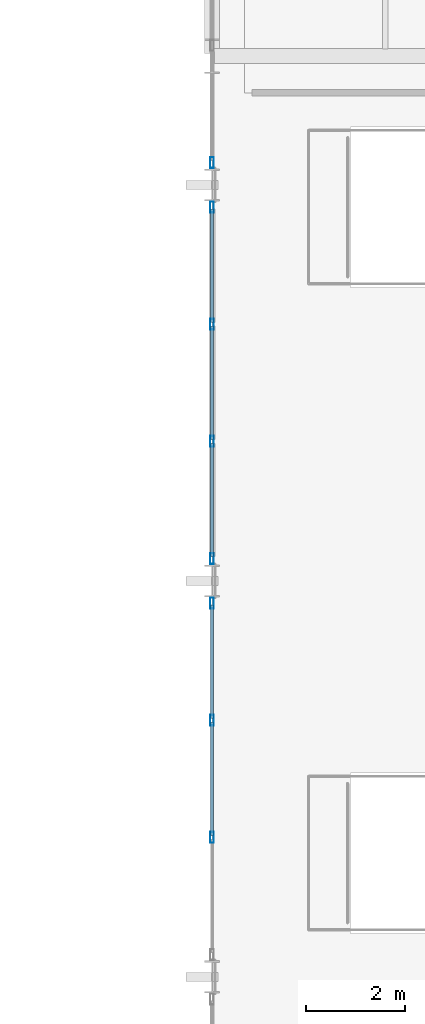
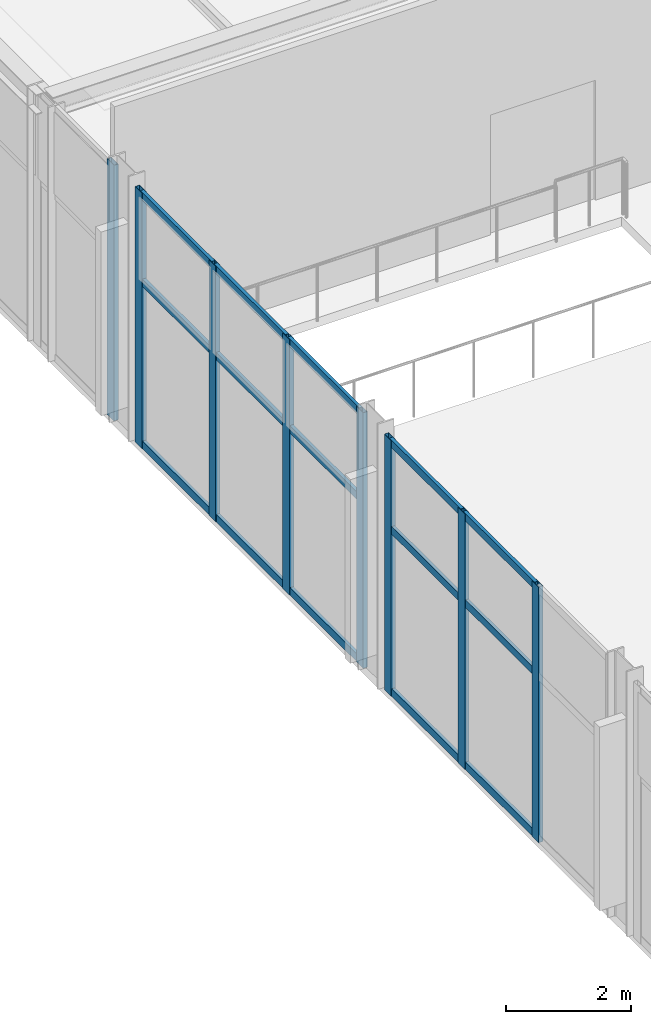
# One storey, part 49 of 195: 23 members, 3 elements without a shape of their own.
"""IFC4 building model written with IfcOpenShell, lengths in metres."""

from ifc_helpers import new_model, si_unit, direction, frame, origin, origin_2d, place, context, subcontext, project, spatial, hollow_rectangle, extrude, material, layer, layer_set, material_profile, profile_set, type_object, element, aggregate, save


model = new_model("IFC4")

# Units and contexts
model_context = context("Model", 3, precision=1e-05, world=origin(), true_north=direction((0.0, 1.0)))
body_context = subcontext(model_context, "Body", "Model", "MODEL_VIEW")
ifc_project = project(units=[si_unit("LENGTHUNIT", "METRE"), si_unit("AREAUNIT", "SQUARE_METRE"), si_unit("VOLUMEUNIT", "CUBIC_METRE"), si_unit("PLANEANGLEUNIT", "RADIAN"), si_unit("MASSUNIT", "GRAM", prefix="KILO")], contexts=[model_context])

# Site, building, storey
site_placement = place(None, origin())
site = spatial("IfcSite", under=ifc_project, at=site_placement, CompositionType="ELEMENT")
building_placement = place(site_placement, origin())
building = spatial("IfcBuilding", under=site, at=building_placement, Name="Marlcrest Central Station", CompositionType="ELEMENT")
storey_placement = place(building_placement, frame((0.0, 0.0, 9.800048828125)))
storey = spatial("IfcBuildingStorey", under=building, at=storey_placement, Name="L02", CompositionType="ELEMENT", Elevation=9.800048828125)

# Curtain wall, members
ifc_material_1 = material(Name="Anodised aluminium and hurricane laminated glass", Category="aluminium")
ifc_layer = layer(ifc_material_1, 0.219970703125, Name="CW-U1")
ifc_layer_set = layer_set([ifc_layer], Name="Anodised aluminium and hurricane laminated glass")
curtain_wall_type = type_object("IfcCurtainWallType", Name="CW-U1", PredefinedType="USERDEFINED", material=ifc_layer_set)
curtain_wall_1_placement = place(storey_placement, origin())
curtain_wall_1 = element("IfcCurtainWall", 1, at=curtain_wall_1_placement, inside=storey, type_object=curtain_wall_type, Name="cw-L02-0127", ObjectType="UNITISED_CURTAIN_WALL", PredefinedType="USERDEFINED")
ifc_material_2 = material(Name="Anodised aluminium 6063-T6", Category="aluminium")
ifc_material_profile_1 = material_profile(ifc_material_2, hollow_rectangle(XDim=0.080078125, YDim=0.219970703125, WallThickness=0.006103515625, at=origin_2d()), Name="AA-RHS 220x80x6")
ifc_profile_set_1 = profile_set([ifc_material_profile_1], Name="Anodised aluminium 6063-T6")
member_type_1 = type_object("IfcMemberType", Name="ML-01", PredefinedType="MULLION", material=ifc_profile_set_1)
member_1_placement = place(storey_placement, frame((87.0, 81.316650390625, -0.030029296875), z_axis=(0.0, 0.0, 1.0), x_axis=(1.0, 0.0, 0.0)))
member_1 = element("IfcMember", 2, at=member_1_placement, type_object=member_type_1, Name="cw-L02-0127-ml-1", PredefinedType="MULLION", context=body_context, shape_type="SweptSolid", body=[
    extrude(hollow_rectangle(XDim=0.080078125, YDim=0.219970703125, WallThickness=0.006103515625, at=origin_2d()), origin(), (0.0, 0.0, 1.0), 5.010009765625),
])
member_2_placement = place(storey_placement, frame((87.0, 83.683349609375, -0.030029296875), z_axis=(0.0, 0.0, 1.0), x_axis=(1.0, 0.0, 0.0)))
member_2 = element("IfcMember", 3, at=member_2_placement, type_object=member_type_1, Name="cw-L02-0127-ml-2", PredefinedType="MULLION", context=body_context, shape_type="SweptSolid", body=[
    extrude(hollow_rectangle(XDim=0.080078125, YDim=0.219970703125, WallThickness=0.006103515625, at=origin_2d()), origin(), (0.0, 0.0, 1.0), 5.010009765625),
])
member_3_placement = place(storey_placement, frame((87.0, 86.050048828125, -0.030029296875), z_axis=(0.0, 0.0, 1.0), x_axis=(1.0, 0.0, 0.0)))
member_3 = element("IfcMember", 4, at=member_3_placement, type_object=member_type_1, Name="cw-L02-0127-ml-3", PredefinedType="MULLION", context=body_context, shape_type="SweptSolid", body=[
    extrude(hollow_rectangle(XDim=0.080078125, YDim=0.219970703125, WallThickness=0.006103515625, at=origin_2d()), origin(), (0.0, 0.0, 1.0), 5.010009765625),
])

curtain_wall_2_placement = place(storey_placement, origin())
curtain_wall_2 = element("IfcCurtainWall", 5, at=curtain_wall_2_placement, inside=storey, type_object=curtain_wall_type, Name="cw-L02-0131", ObjectType="UNITISED_CURTAIN_WALL", PredefinedType="USERDEFINED")
member_4_placement = place(storey_placement, frame((87.0, 86.949951171875, -0.030029296875), z_axis=(0.0, 0.0, 1.0), x_axis=(1.0, 0.0, 0.0)))
member_4 = element("IfcMember", 6, at=member_4_placement, type_object=member_type_1, Name="cw-L02-0131-ml-0", PredefinedType="MULLION", context=body_context, shape_type="SweptSolid", body=[
    extrude(hollow_rectangle(XDim=0.080078125, YDim=0.219970703125, WallThickness=0.006103515625, at=origin_2d()), origin(), (0.0, 0.0, 1.0), 5.010009765625),
])
member_5_placement = place(storey_placement, frame((87.0, 89.316650390625, -0.030029296875), z_axis=(0.0, 0.0, 1.0), x_axis=(1.0, 0.0, 0.0)))
member_5 = element("IfcMember", 7, at=member_5_placement, type_object=member_type_1, Name="cw-L02-0131-ml-1", PredefinedType="MULLION", context=body_context, shape_type="SweptSolid", body=[
    extrude(hollow_rectangle(XDim=0.080078125, YDim=0.219970703125, WallThickness=0.006103515625, at=origin_2d()), origin(), (0.0, 0.0, 1.0), 5.010009765625),
])
member_6_placement = place(storey_placement, frame((87.0, 91.683349609375, -0.030029296875), z_axis=(0.0, 0.0, 1.0), x_axis=(1.0, 0.0, 0.0)))
member_6 = element("IfcMember", 8, at=member_6_placement, type_object=member_type_1, Name="cw-L02-0131-ml-2", PredefinedType="MULLION", context=body_context, shape_type="SweptSolid", body=[
    extrude(hollow_rectangle(XDim=0.080078125, YDim=0.219970703125, WallThickness=0.006103515625, at=origin_2d()), origin(), (0.0, 0.0, 1.0), 5.010009765625),
])
member_7_placement = place(storey_placement, frame((87.0, 94.050048828125, -0.030029296875), z_axis=(0.0, 0.0, 1.0), x_axis=(1.0, 0.0, 0.0)))
member_7 = element("IfcMember", 9, at=member_7_placement, type_object=member_type_1, Name="cw-L02-0131-ml-3", PredefinedType="MULLION", context=body_context, shape_type="SweptSolid", body=[
    extrude(hollow_rectangle(XDim=0.080078125, YDim=0.219970703125, WallThickness=0.006103515625, at=origin_2d()), origin(), (0.0, 0.0, 1.0), 5.010009765625),
])

# Curtain wall, member
curtain_wall_3_placement = place(storey_placement, origin())
curtain_wall_3 = element("IfcCurtainWall", 10, at=curtain_wall_3_placement, inside=storey, type_object=curtain_wall_type, Name="cw-L02-0135", ObjectType="UNITISED_CURTAIN_WALL", PredefinedType="USERDEFINED")
member_8_placement = place(storey_placement, frame((87.0, 94.949951171875, -0.030029296875), z_axis=(0.0, 0.0, 1.0), x_axis=(1.0, 0.0, 0.0)))
member_8 = element("IfcMember", 11, at=member_8_placement, type_object=member_type_1, Name="cw-L02-0135-ml-0", PredefinedType="MULLION", context=body_context, shape_type="SweptSolid", body=[
    extrude(hollow_rectangle(XDim=0.080078125, YDim=0.219970703125, WallThickness=0.006103515625, at=origin_2d()), origin(), (0.0, 0.0, 1.0), 5.010009765625),
])
aggregate(curtain_wall_3, [member_8])

# Member
ifc_material_profile_2 = material_profile(ifc_material_2, hollow_rectangle(XDim=0.06005859375, YDim=0.14990234375, WallThickness=0.00390625, at=origin_2d()), Name="AA-RHS 150x60x4")
ifc_profile_set_2 = profile_set([ifc_material_profile_2], Name="Anodised aluminium 6063-T6")
member_type_2 = type_object("IfcMemberType", Name="TR-01", PredefinedType="USERDEFINED", material=ifc_profile_set_2)
member_9_placement = place(storey_placement, frame((87.0, 81.354736328125, 0.0400390625), z_axis=(0.0, 1.0, 0.0), x_axis=(-1.0, 0.0, 0.0)))
member_9 = element("IfcMember", 12, at=member_9_placement, type_object=member_type_2, Name="cw-L02-0127-tr-1-sill", ObjectType="TRANSOM", PredefinedType="USERDEFINED", context=body_context, shape_type="SweptSolid", body=[
    extrude(hollow_rectangle(XDim=0.06005859375, YDim=0.14990234375, WallThickness=0.00390625, at=origin_2d()), origin(), (0.0, 0.0, 1.0), 2.29052734375),
])

member_10_placement = place(storey_placement, frame((87.0, 81.354736328125, 3.218017578125), z_axis=(0.0, 1.0, 0.0), x_axis=(-1.0, 0.0, 0.0)))
member_10 = element("IfcMember", 13, at=member_10_placement, type_object=member_type_2, Name="cw-L02-0127-tr-1-mid", ObjectType="TRANSOM", PredefinedType="USERDEFINED", context=body_context, shape_type="SweptSolid", body=[
    extrude(hollow_rectangle(XDim=0.06005859375, YDim=0.14990234375, WallThickness=0.00390625, at=origin_2d()), origin(), (0.0, 0.0, 1.0), 2.29052734375),
])

member_11_placement = place(storey_placement, frame((87.0, 81.354736328125, 4.909912109375), z_axis=(0.0, 1.0, 0.0), x_axis=(-1.0, 0.0, 0.0)))
member_11 = element("IfcMember", 14, at=member_11_placement, type_object=member_type_2, Name="cw-L02-0127-tr-1-head", ObjectType="TRANSOM", PredefinedType="USERDEFINED", context=body_context, shape_type="SweptSolid", body=[
    extrude(hollow_rectangle(XDim=0.06005859375, YDim=0.14990234375, WallThickness=0.00390625, at=origin_2d()), origin(), (0.0, 0.0, 1.0), 2.29052734375),
])

member_12_placement = place(storey_placement, frame((87.0, 83.72119140625, 0.0400390625), z_axis=(0.0, 1.0, 0.0), x_axis=(-1.0, 0.0, 0.0)))
member_12 = element("IfcMember", 15, at=member_12_placement, type_object=member_type_2, Name="cw-L02-0127-tr-2-sill", ObjectType="TRANSOM", PredefinedType="USERDEFINED", context=body_context, shape_type="SweptSolid", body=[
    extrude(hollow_rectangle(XDim=0.06005859375, YDim=0.14990234375, WallThickness=0.00390625, at=origin_2d()), origin(), (0.0, 0.0, 1.0), 2.290771484375),
])

member_13_placement = place(storey_placement, frame((87.0, 83.72119140625, 3.218017578125), z_axis=(0.0, 1.0, 0.0), x_axis=(-1.0, 0.0, 0.0)))
member_13 = element("IfcMember", 16, at=member_13_placement, type_object=member_type_2, Name="cw-L02-0127-tr-2-mid", ObjectType="TRANSOM", PredefinedType="USERDEFINED", context=body_context, shape_type="SweptSolid", body=[
    extrude(hollow_rectangle(XDim=0.06005859375, YDim=0.14990234375, WallThickness=0.00390625, at=origin_2d()), origin(), (0.0, 0.0, 1.0), 2.290771484375),
])

member_14_placement = place(storey_placement, frame((87.0, 83.72119140625, 4.909912109375), z_axis=(0.0, 1.0, 0.0), x_axis=(-1.0, 0.0, 0.0)))
member_14 = element("IfcMember", 17, at=member_14_placement, type_object=member_type_2, Name="cw-L02-0127-tr-2-head", ObjectType="TRANSOM", PredefinedType="USERDEFINED", context=body_context, shape_type="SweptSolid", body=[
    extrude(hollow_rectangle(XDim=0.06005859375, YDim=0.14990234375, WallThickness=0.00390625, at=origin_2d()), origin(), (0.0, 0.0, 1.0), 2.290771484375),
])

aggregate(curtain_wall_1, [member_1, member_2, member_3, member_9, member_10, member_11, member_12, member_13, member_14])

member_15_placement = place(storey_placement, frame((87.0, 86.988037109375, 0.0400390625), z_axis=(0.0, 1.0, 0.0), x_axis=(-1.0, 0.0, 0.0)))
member_15 = element("IfcMember", 18, at=member_15_placement, type_object=member_type_2, Name="cw-L02-0131-tr-0-sill", ObjectType="TRANSOM", PredefinedType="USERDEFINED", context=body_context, shape_type="SweptSolid", body=[
    extrude(hollow_rectangle(XDim=0.06005859375, YDim=0.14990234375, WallThickness=0.00390625, at=origin_2d()), origin(), (0.0, 0.0, 1.0), 2.290771484375),
])

member_16_placement = place(storey_placement, frame((87.0, 86.988037109375, 3.218017578125), z_axis=(0.0, 1.0, 0.0), x_axis=(-1.0, 0.0, 0.0)))
member_16 = element("IfcMember", 19, at=member_16_placement, type_object=member_type_2, Name="cw-L02-0131-tr-0-mid", ObjectType="TRANSOM", PredefinedType="USERDEFINED", context=body_context, shape_type="SweptSolid", body=[
    extrude(hollow_rectangle(XDim=0.06005859375, YDim=0.14990234375, WallThickness=0.00390625, at=origin_2d()), origin(), (0.0, 0.0, 1.0), 2.290771484375),
])

member_17_placement = place(storey_placement, frame((87.0, 86.988037109375, 4.909912109375), z_axis=(0.0, 1.0, 0.0), x_axis=(-1.0, 0.0, 0.0)))
member_17 = element("IfcMember", 20, at=member_17_placement, type_object=member_type_2, Name="cw-L02-0131-tr-0-head", ObjectType="TRANSOM", PredefinedType="USERDEFINED", context=body_context, shape_type="SweptSolid", body=[
    extrude(hollow_rectangle(XDim=0.06005859375, YDim=0.14990234375, WallThickness=0.00390625, at=origin_2d()), origin(), (0.0, 0.0, 1.0), 2.290771484375),
])

member_18_placement = place(storey_placement, frame((87.0, 89.354736328125, 0.0400390625), z_axis=(0.0, 1.0, 0.0), x_axis=(-1.0, 0.0, 0.0)))
member_18 = element("IfcMember", 21, at=member_18_placement, type_object=member_type_2, Name="cw-L02-0131-tr-1-sill", ObjectType="TRANSOM", PredefinedType="USERDEFINED", context=body_context, shape_type="SweptSolid", body=[
    extrude(hollow_rectangle(XDim=0.06005859375, YDim=0.14990234375, WallThickness=0.00390625, at=origin_2d()), origin(), (0.0, 0.0, 1.0), 2.29052734375),
])

member_19_placement = place(storey_placement, frame((87.0, 89.354736328125, 3.218017578125), z_axis=(0.0, 1.0, 0.0), x_axis=(-1.0, 0.0, 0.0)))
member_19 = element("IfcMember", 22, at=member_19_placement, type_object=member_type_2, Name="cw-L02-0131-tr-1-mid", ObjectType="TRANSOM", PredefinedType="USERDEFINED", context=body_context, shape_type="SweptSolid", body=[
    extrude(hollow_rectangle(XDim=0.06005859375, YDim=0.14990234375, WallThickness=0.00390625, at=origin_2d()), origin(), (0.0, 0.0, 1.0), 2.29052734375),
])

member_20_placement = place(storey_placement, frame((87.0, 89.354736328125, 4.909912109375), z_axis=(0.0, 1.0, 0.0), x_axis=(-1.0, 0.0, 0.0)))
member_20 = element("IfcMember", 23, at=member_20_placement, type_object=member_type_2, Name="cw-L02-0131-tr-1-head", ObjectType="TRANSOM", PredefinedType="USERDEFINED", context=body_context, shape_type="SweptSolid", body=[
    extrude(hollow_rectangle(XDim=0.06005859375, YDim=0.14990234375, WallThickness=0.00390625, at=origin_2d()), origin(), (0.0, 0.0, 1.0), 2.29052734375),
])

member_21_placement = place(storey_placement, frame((87.0, 91.72119140625, 0.0400390625), z_axis=(0.0, 1.0, 0.0), x_axis=(-1.0, 0.0, 0.0)))
member_21 = element("IfcMember", 24, at=member_21_placement, type_object=member_type_2, Name="cw-L02-0131-tr-2-sill", ObjectType="TRANSOM", PredefinedType="USERDEFINED", context=body_context, shape_type="SweptSolid", body=[
    extrude(hollow_rectangle(XDim=0.06005859375, YDim=0.14990234375, WallThickness=0.00390625, at=origin_2d()), origin(), (0.0, 0.0, 1.0), 2.290771484375),
])

member_22_placement = place(storey_placement, frame((87.0, 91.72119140625, 3.218017578125), z_axis=(0.0, 1.0, 0.0), x_axis=(-1.0, 0.0, 0.0)))
member_22 = element("IfcMember", 25, at=member_22_placement, type_object=member_type_2, Name="cw-L02-0131-tr-2-mid", ObjectType="TRANSOM", PredefinedType="USERDEFINED", context=body_context, shape_type="SweptSolid", body=[
    extrude(hollow_rectangle(XDim=0.06005859375, YDim=0.14990234375, WallThickness=0.00390625, at=origin_2d()), origin(), (0.0, 0.0, 1.0), 2.290771484375),
])

member_23_placement = place(storey_placement, frame((87.0, 91.72119140625, 4.909912109375), z_axis=(0.0, 1.0, 0.0), x_axis=(-1.0, 0.0, 0.0)))
member_23 = element("IfcMember", 26, at=member_23_placement, type_object=member_type_2, Name="cw-L02-0131-tr-2-head", ObjectType="TRANSOM", PredefinedType="USERDEFINED", context=body_context, shape_type="SweptSolid", body=[
    extrude(hollow_rectangle(XDim=0.06005859375, YDim=0.14990234375, WallThickness=0.00390625, at=origin_2d()), origin(), (0.0, 0.0, 1.0), 2.290771484375),
])

aggregate(curtain_wall_2, [member_4, member_5, member_6, member_7, member_15, member_16, member_17, member_18, member_19, member_20, member_21, member_22, member_23])

save(model, "model.ifc")
